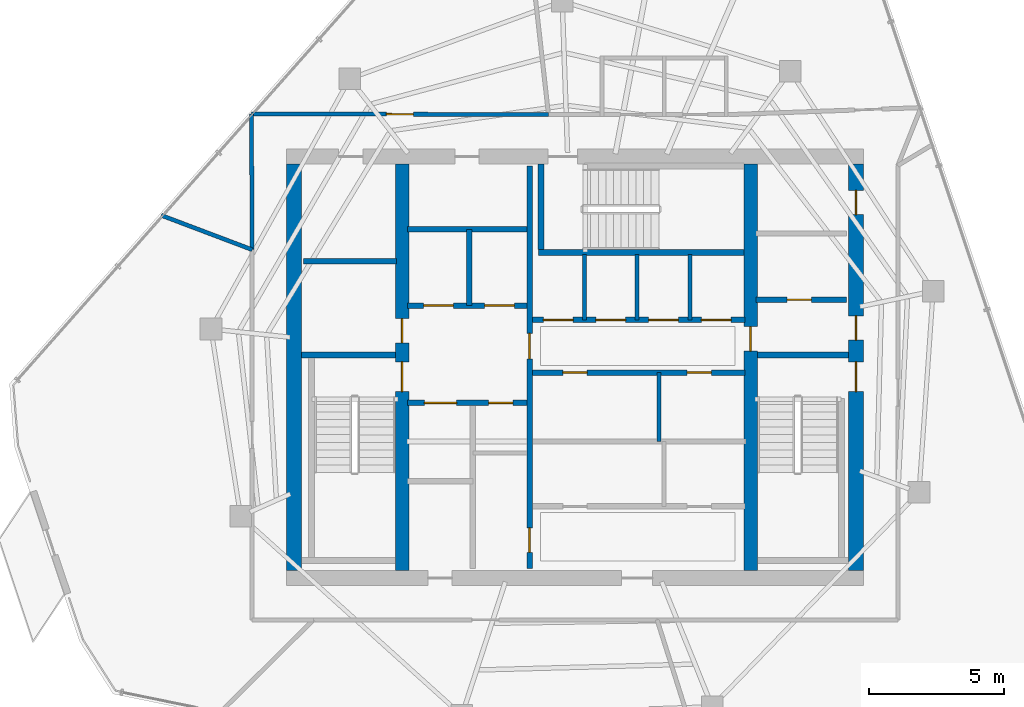
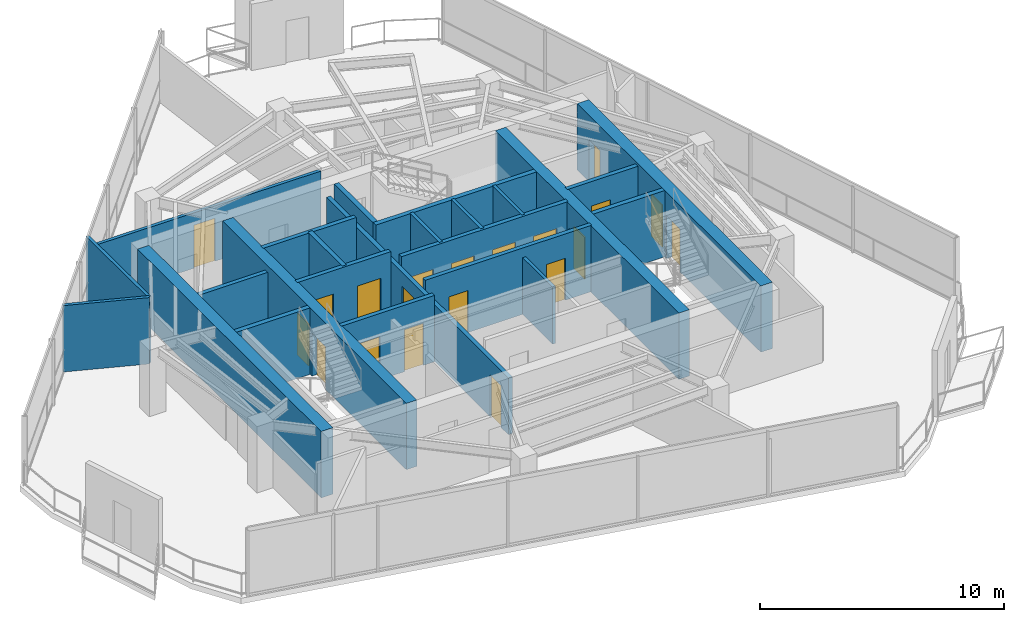
# One storey, part 15 of 18: 24 walls, 20 doors, 20 openings.
"""IFC4 building model written with IfcOpenShell, lengths in metres."""

from ifc_helpers import new_model, si_unit, direction, frame, frame_2d, origin, place, context, subcontext, project, spatial, rectangle, extrude, material, layer, layer_set, type_object, element, fill, save


model = new_model("IFC4")

# Units and contexts
model_context = context("Model", 3, precision=1e-05, world=origin(), true_north=direction((0.0, 1.0)))
body_context = subcontext(model_context, "Body", "Model", "MODEL_VIEW")
ifc_project = project(units=[si_unit("LENGTHUNIT", "METRE"), si_unit("AREAUNIT", "SQUARE_METRE"), si_unit("VOLUMEUNIT", "CUBIC_METRE"), si_unit("PLANEANGLEUNIT", "RADIAN"), si_unit("MASSUNIT", "GRAM", prefix="KILO")], contexts=[model_context])

# Site, building, storey
site_placement = place(None, origin())
site = spatial("IfcSite", under=ifc_project, at=site_placement, CompositionType="ELEMENT")
building_placement = place(site_placement, origin())
building = spatial("IfcBuilding", under=site, at=building_placement, Name="Qarnah Convention Tower", CompositionType="ELEMENT")
storey_placement = place(building_placement, frame((0.0, 0.0, 249.89990234375)))
storey = spatial("IfcBuildingStorey", under=building, at=storey_placement, Name="L67", CompositionType="ELEMENT", Elevation=249.89990234375)

# Wall
ifc_material_1 = material(Name="Concrete C60/75", Category="concrete")
ifc_layer_1 = layer(ifc_material_1, 0.550048828125)
ifc_layer_set_1 = layer_set([ifc_layer_1], Name="Concrete C60/75")
wall_type_1 = type_object("IfcWallType", Name="WL-CORE-550", PredefinedType="SHEAR", material=ifc_layer_set_1)
wall_1_placement = place(storey_placement, frame((26.800048828125, 18.875, 0.0), z_axis=(0.0, 0.0, 1.0), x_axis=(0.0, 1.0, 0.0)))
element("IfcWall", 1, at=wall_1_placement, inside=storey, type_object=wall_type_1, Name="L67 core west shear wall", PredefinedType="SHEAR", context=body_context, shape_type="SweptSolid", body=[
    extrude(rectangle(XDim=15.050048828125, YDim=0.550048828125, at=frame_2d((7.52490234375, 0.0))), origin(), (0.0, 0.0, 1.0), 3.320068359375),
])

# Wall, openings, doors
wall_2_placement = place(storey_placement, frame((47.60009765625, 18.875, 0.0), z_axis=(0.0, 0.0, 1.0), x_axis=(0.0, 1.0, 0.0)))
wall_2 = element("IfcWall", 2, at=wall_2_placement, inside=storey, type_object=wall_type_1, Name="L67 core east shear wall", PredefinedType="SHEAR", context=body_context, shape_type="SweptSolid", body=[
    extrude(rectangle(XDim=15.050048828125, YDim=0.550048828125, at=frame_2d((7.52490234375, 0.0))), origin(), (0.0, 0.0, 1.0), 3.320068359375),
])
opening_1_placement = place(wall_2_placement, frame((6.625, 0.0, 0.0)))
opening_1 = element("IfcOpeningElement", 3, at=opening_1_placement, cuts=wall_2, Name="Opening D-6702", PredefinedType="OPENING", context=body_context, shape_type="SweptSolid", body=[
    extrude(rectangle(XDim=1.10009765625, YDim=2.14990234375, at=frame_2d((0.550048828125, 1.074951171875))), frame((0.0, 0.284912109375, 0.0), z_axis=(0.0, -1.0, 0.0), x_axis=(1.0, 0.0, 0.0)), (0.0, 0.0, 1.0), 0.570068359375),
])
opening_2_placement = place(wall_2_placement, frame((8.52490234375, 0.0, 0.0)))
opening_2 = element("IfcOpeningElement", 4, at=opening_2_placement, cuts=wall_2, Name="Opening D-6706", PredefinedType="OPENING", context=body_context, shape_type="SweptSolid", body=[
    extrude(rectangle(XDim=0.89990234375, YDim=2.10009765625, at=frame_2d((0.449951171875, 1.050048828125))), frame((0.0, 0.284912109375, 0.0), z_axis=(0.0, -1.0, 0.0), x_axis=(1.0, 0.0, 0.0)), (0.0, 0.0, 1.0), 0.570068359375),
])
opening_3_placement = place(wall_2_placement, frame((13.175048828125, 0.0, 0.0)))
opening_3 = element("IfcOpeningElement", 5, at=opening_3_placement, cuts=wall_2, Name="Opening D-6712", PredefinedType="OPENING", context=body_context, shape_type="SweptSolid", body=[
    extrude(rectangle(XDim=0.89990234375, YDim=2.10009765625, at=frame_2d((0.449951171875, 1.050048828125))), frame((0.0, 0.284912109375, 0.0), z_axis=(0.0, -1.0, 0.0), x_axis=(1.0, 0.0, 0.0)), (0.0, 0.0, 1.0), 0.570068359375),
])
ifc_material_2 = material(Name="Structural steel S355JR", Category="steel")
door_type_1 = type_object("IfcDoorType", Name="DT-RISER-900", OperationType="NOTDEFINED", PredefinedType="DOOR", material=ifc_material_2)
door_1_placement = place(opening_2_placement, origin())
door_1 = element("IfcDoor", 6, at=door_1_placement, inside=storey, type_object=door_type_1, Name="Door D-6706", OperationType="SINGLE_SWING_LEFT", OverallHeight=2.10009765625, OverallWidth=0.89990234375, PredefinedType="DOOR", context=body_context, shape_type="SweptSolid", body=[
    extrude(rectangle(XDim=0.89990234375, YDim=2.10009765625, at=frame_2d((0.449951171875, 1.050048828125))), frame((0.0, 0.02490234375, 0.0), z_axis=(0.0, -1.0, 0.0), x_axis=(1.0, 0.0, 0.0)), (0.0, 0.0, 1.0), 0.050048828125),
])
fill(opening_2, door_1)
door_2_placement = place(opening_3_placement, origin())
door_2 = element("IfcDoor", 7, at=door_2_placement, inside=storey, type_object=door_type_1, Name="Door D-6712", OperationType="SINGLE_SWING_LEFT", OverallHeight=2.10009765625, OverallWidth=0.89990234375, PredefinedType="DOOR", context=body_context, shape_type="SweptSolid", body=[
    extrude(rectangle(XDim=0.89990234375, YDim=2.10009765625, at=frame_2d((0.449951171875, 1.050048828125))), frame((0.0, 0.02490234375, 0.0), z_axis=(0.0, -1.0, 0.0), x_axis=(1.0, 0.0, 0.0)), (0.0, 0.0, 1.0), 0.050048828125),
])
fill(opening_3, door_2)
door_type_2 = type_object("IfcDoorType", Name="DT-STAIR-1100", OperationType="NOTDEFINED", PredefinedType="DOOR", material=ifc_material_2)
door_3_placement = place(opening_1_placement, origin())
door_3 = element("IfcDoor", 8, at=door_3_placement, inside=storey, type_object=door_type_2, Name="Door D-6702", OperationType="SINGLE_SWING_LEFT", OverallHeight=2.14990234375, OverallWidth=1.10009765625, PredefinedType="DOOR", context=body_context, shape_type="SweptSolid", body=[
    extrude(rectangle(XDim=1.10009765625, YDim=2.14990234375, at=frame_2d((0.550048828125, 1.074951171875))), frame((0.0, 0.02490234375, 0.0), z_axis=(0.0, -1.0, 0.0), x_axis=(1.0, 0.0, 0.0)), (0.0, 0.0, 1.0), 0.050048828125),
])
fill(opening_1, door_3)

ifc_layer_2 = layer(ifc_material_1, 0.5)
ifc_layer_set_2 = layer_set([ifc_layer_2], Name="Concrete C60/75")
wall_type_2 = type_object("IfcWallType", Name="WL-CORE-INT-400", PredefinedType="SHEAR", material=ifc_layer_set_2)
wall_3_placement = place(storey_placement, frame((30.800048828125, 18.875, 0.0), z_axis=(0.0, 0.0, 1.0), x_axis=(0.0, 1.0, 0.0)))
wall_3 = element("IfcWall", 9, at=wall_3_placement, inside=storey, type_object=wall_type_2, Name="L67 core west spine shear wall", PredefinedType="SHEAR", context=body_context, shape_type="SweptSolid", body=[
    extrude(rectangle(XDim=15.050048828125, YDim=0.5, at=frame_2d((7.52490234375, 0.0))), origin(), (0.0, 0.0, 1.0), 3.320068359375),
])
opening_4_placement = place(wall_3_placement, frame((6.625, 0.0, 0.0)))
opening_4 = element("IfcOpeningElement", 10, at=opening_4_placement, cuts=wall_3, Name="Opening D-6701", PredefinedType="OPENING", context=body_context, shape_type="SweptSolid", body=[
    extrude(rectangle(XDim=1.10009765625, YDim=2.14990234375, at=frame_2d((0.550048828125, 1.074951171875))), frame((0.0, 0.260009765625, 0.0), z_axis=(0.0, -1.0, 0.0), x_axis=(1.0, 0.0, 0.0)), (0.0, 0.0, 1.0), 0.52001953125),
])
opening_5_placement = place(wall_3_placement, frame((8.425048828125, 0.0, 0.0)))
opening_5 = element("IfcOpeningElement", 11, at=opening_5_placement, cuts=wall_3, Name="Opening D-6708", PredefinedType="OPENING", context=body_context, shape_type="SweptSolid", body=[
    extrude(rectangle(XDim=0.89990234375, YDim=2.10009765625, at=frame_2d((0.449951171875, 1.050048828125))), frame((0.0, 0.260009765625, 0.0), z_axis=(0.0, -1.0, 0.0), x_axis=(1.0, 0.0, 0.0)), (0.0, 0.0, 1.0), 0.52001953125),
])
door_4_placement = place(opening_5_placement, origin())
door_4 = element("IfcDoor", 12, at=door_4_placement, inside=storey, type_object=door_type_1, Name="Door D-6708", OperationType="SINGLE_SWING_LEFT", OverallHeight=2.10009765625, OverallWidth=0.89990234375, PredefinedType="DOOR", context=body_context, shape_type="SweptSolid", body=[
    extrude(rectangle(XDim=0.89990234375, YDim=2.10009765625, at=frame_2d((0.449951171875, 1.050048828125))), frame((0.0, 0.02490234375, 0.0), z_axis=(0.0, -1.0, 0.0), x_axis=(1.0, 0.0, 0.0)), (0.0, 0.0, 1.0), 0.050048828125),
])
fill(opening_5, door_4)
door_5_placement = place(opening_4_placement, origin())
door_5 = element("IfcDoor", 13, at=door_5_placement, inside=storey, type_object=door_type_2, Name="Door D-6701", OperationType="SINGLE_SWING_RIGHT", OverallHeight=2.14990234375, OverallWidth=1.10009765625, PredefinedType="DOOR", context=body_context, shape_type="SweptSolid", body=[
    extrude(rectangle(XDim=1.10009765625, YDim=2.14990234375, at=frame_2d((0.550048828125, 1.074951171875))), frame((0.0, 0.02490234375, 0.0), z_axis=(0.0, -1.0, 0.0), x_axis=(1.0, 0.0, 0.0)), (0.0, 0.0, 1.0), 0.050048828125),
])
fill(opening_4, door_5)

# Wall, opening, door
wall_4_placement = place(storey_placement, frame((43.699951171875, 18.875, 0.0), z_axis=(0.0, 0.0, 1.0), x_axis=(0.0, 1.0, 0.0)))
wall_4 = element("IfcWall", 14, at=wall_4_placement, inside=storey, type_object=wall_type_2, Name="L67 core east spine shear wall", PredefinedType="SHEAR", context=body_context, shape_type="SweptSolid", body=[
    extrude(rectangle(XDim=15.050048828125, YDim=0.5, at=frame_2d((7.52490234375, 0.0))), origin(), (0.0, 0.0, 1.0), 3.320068359375),
])
opening_6_placement = place(wall_4_placement, frame((8.125, 0.0, 0.0)))
opening_6 = element("IfcOpeningElement", 15, at=opening_6_placement, cuts=wall_4, Name="Opening D-6705", PredefinedType="OPENING", context=body_context, shape_type="SweptSolid", body=[
    extrude(rectangle(XDim=0.89990234375, YDim=2.10009765625, at=frame_2d((0.449951171875, 1.050048828125))), frame((0.0, 0.260009765625, 0.0), z_axis=(0.0, -1.0, 0.0), x_axis=(1.0, 0.0, 0.0)), (0.0, 0.0, 1.0), 0.52001953125),
])
door_6_placement = place(opening_6_placement, origin())
door_6 = element("IfcDoor", 16, at=door_6_placement, inside=storey, type_object=door_type_1, Name="Door D-6705", OperationType="SINGLE_SWING_RIGHT", OverallHeight=2.10009765625, OverallWidth=0.89990234375, PredefinedType="DOOR", context=body_context, shape_type="SweptSolid", body=[
    extrude(rectangle(XDim=0.89990234375, YDim=2.10009765625, at=frame_2d((0.449951171875, 1.050048828125))), frame((0.0, 0.02490234375, 0.0), z_axis=(0.0, -1.0, 0.0), x_axis=(1.0, 0.0, 0.0)), (0.0, 0.0, 1.0), 0.050048828125),
])
fill(opening_6, door_6)

# Wall
ifc_material_3 = material(Name="Concrete C45/55", Category="concrete")
ifc_layer_3 = layer(ifc_material_3, 0.199951171875)
ifc_layer_set_3 = layer_set([ifc_layer_3], Name="Concrete C45/55")
wall_type_3 = type_object("IfcWallType", Name="WL-CORE-PART-200", PredefinedType="SOLIDWALL", material=ifc_layer_set_3)
wall_5_placement = place(storey_placement, frame((27.14990234375, 30.320068359375, 0.0), z_axis=(0.0, 0.0, 1.0), x_axis=(1.0, 0.0, 0.0)))
element("IfcWall", 17, at=wall_5_placement, inside=storey, type_object=wall_type_3, Name="L67 interior wall IW-L67-ELRN", PredefinedType="SOLIDWALL", context=body_context, shape_type="SweptSolid", body=[
    extrude(rectangle(XDim=3.4501953125, YDim=0.199951171875, at=frame_2d((1.72509765625, 0.0))), origin(), (0.0, 0.0, 1.0), 2.9931640625),
])

# Wall, opening, door
wall_6_placement = place(storey_placement, frame((43.89990234375, 28.89990234375, 0.0), z_axis=(0.0, 0.0, 1.0), x_axis=(1.0, 0.0, 0.0)))
wall_6 = element("IfcWall", 18, at=wall_6_placement, inside=storey, type_object=wall_type_3, Name="L67 interior wall IW-L67-EVSTN", PredefinedType="SOLIDWALL", context=body_context, shape_type="SweptSolid", body=[
    extrude(rectangle(XDim=3.35009765625, YDim=0.199951171875, at=frame_2d((1.675048828125, 0.0))), origin(), (0.0, 0.0, 1.0), 3.320068359375),
])
opening_7_placement = place(wall_6_placement, frame((1.14990234375, 0.0, 0.0)))
opening_7 = element("IfcOpeningElement", 19, at=opening_7_placement, cuts=wall_6, Name="Opening D-6711", PredefinedType="OPENING", context=body_context, shape_type="SweptSolid", body=[
    extrude(rectangle(XDim=0.89990234375, YDim=2.10009765625, at=frame_2d((0.449951171875, 1.050048828125))), frame((0.0, 0.10986328125, 0.0), z_axis=(0.0, -1.0, 0.0), x_axis=(1.0, 0.0, 0.0)), (0.0, 0.0, 1.0), 0.219970703125),
])
door_7_placement = place(opening_7_placement, origin())
door_7 = element("IfcDoor", 20, at=door_7_placement, inside=storey, type_object=door_type_1, Name="Door D-6711", OperationType="SINGLE_SWING_RIGHT", OverallHeight=2.10009765625, OverallWidth=0.89990234375, PredefinedType="DOOR", context=body_context, shape_type="SweptSolid", body=[
    extrude(rectangle(XDim=0.89990234375, YDim=2.10009765625, at=frame_2d((0.449951171875, 1.050048828125))), frame((0.0, 0.02490234375, 0.0), z_axis=(0.0, -1.0, 0.0), x_axis=(1.0, 0.0, 0.0)), (0.0, 0.0, 1.0), 0.050048828125),
])
fill(opening_7, door_7)

# Wall, openings, doors
wall_7_placement = place(storey_placement, frame((35.52001953125, 18.949951171875, 0.0), z_axis=(0.0, 0.0, 1.0), x_axis=(0.0, 1.0, 0.0)))
wall_7 = element("IfcWall", 21, at=wall_7_placement, inside=storey, type_object=wall_type_3, Name="L67 interior wall IW-L67-CSP", PredefinedType="SOLIDWALL", context=body_context, shape_type="SweptSolid", body=[
    extrude(rectangle(XDim=14.900146484375, YDim=0.199951171875, at=frame_2d((7.4501953125, 0.0))), origin(), (0.0, 0.0, 1.0), 2.841064453125),
])
opening_8_placement = place(wall_7_placement, frame((7.7548828125, 0.0, 0.0)))
opening_8 = element("IfcOpeningElement", 22, at=opening_8_placement, cuts=wall_7, Name="Opening D-6704", PredefinedType="OPENING", context=body_context, shape_type="SweptSolid", body=[
    extrude(rectangle(XDim=0.949951171875, YDim=2.14990234375, at=frame_2d((0.47509765625, 1.074951171875))), frame((0.0, 0.10986328125, 0.0), z_axis=(0.0, -1.0, 0.0), x_axis=(1.0, 0.0, 0.0)), (0.0, 0.0, 1.0), 0.219970703125),
])
opening_9_placement = place(wall_7_placement, frame((0.60009765625, 0.0, 0.0)))
opening_9 = element("IfcOpeningElement", 23, at=opening_9_placement, cuts=wall_7, Name="Opening D-6714", PredefinedType="OPENING", context=body_context, shape_type="SweptSolid", body=[
    extrude(rectangle(XDim=0.89990234375, YDim=2.10009765625, at=frame_2d((0.449951171875, 1.050048828125))), frame((0.0, 0.10986328125, 0.0), z_axis=(0.0, -1.0, 0.0), x_axis=(1.0, 0.0, 0.0)), (0.0, 0.0, 1.0), 0.219970703125),
])
ifc_material_4 = material(Name="Oak timber veneer", Category="wood")
door_type_3 = type_object("IfcDoorType", Name="DT-HOTEL-950", OperationType="NOTDEFINED", PredefinedType="DOOR", material=ifc_material_4)
door_8_placement = place(opening_8_placement, origin())
door_8 = element("IfcDoor", 24, at=door_8_placement, inside=storey, type_object=door_type_3, Name="Door D-6704", OperationType="SINGLE_SWING_LEFT", OverallHeight=2.14990234375, OverallWidth=0.949951171875, PredefinedType="DOOR", context=body_context, shape_type="SweptSolid", body=[
    extrude(rectangle(XDim=0.949951171875, YDim=2.14990234375, at=frame_2d((0.47509765625, 1.074951171875))), frame((0.0, 0.02490234375, 0.0), z_axis=(0.0, -1.0, 0.0), x_axis=(1.0, 0.0, 0.0)), (0.0, 0.0, 1.0), 0.050048828125),
])
fill(opening_8, door_8)
door_9_placement = place(opening_9_placement, origin())
door_9 = element("IfcDoor", 25, at=door_9_placement, inside=storey, type_object=door_type_1, Name="Door D-6714", OperationType="SINGLE_SWING_LEFT", OverallHeight=2.10009765625, OverallWidth=0.89990234375, PredefinedType="DOOR", context=body_context, shape_type="SweptSolid", body=[
    extrude(rectangle(XDim=0.89990234375, YDim=2.10009765625, at=frame_2d((0.449951171875, 1.050048828125))), frame((0.0, 0.02490234375, 0.0), z_axis=(0.0, -1.0, 0.0), x_axis=(1.0, 0.0, 0.0)), (0.0, 0.0, 1.0), 0.050048828125),
])
fill(opening_9, door_9)

wall_8_placement = place(storey_placement, frame((31.0, 28.679931640625, 0.0), z_axis=(0.0, 0.0, 1.0), x_axis=(1.0, 0.0, 0.0)))
wall_8 = element("IfcWall", 26, at=wall_8_placement, inside=storey, type_object=wall_type_3, Name="L67 interior wall IW-L67-FFLS", PredefinedType="SOLIDWALL", context=body_context, shape_type="SweptSolid", body=[
    extrude(rectangle(XDim=4.419921875, YDim=0.199951171875, at=frame_2d((2.2099609375, 0.0))), origin(), (0.0, 0.0, 1.0), 3.320068359375),
])
opening_10_placement = place(wall_8_placement, frame((0.60009765625, 0.0, 0.0)))
opening_10 = element("IfcOpeningElement", 27, at=opening_10_placement, cuts=wall_8, Name="Opening LD-6701", PredefinedType="OPENING", context=body_context, shape_type="SweptSolid", body=[
    extrude(rectangle(XDim=1.10009765625, YDim=2.14990234375, at=frame_2d((0.550048828125, 1.074951171875))), frame((0.0, 0.10986328125, 0.0), z_axis=(0.0, -1.0, 0.0), x_axis=(1.0, 0.0, 0.0)), (0.0, 0.0, 1.0), 0.219970703125),
])
opening_11_placement = place(wall_8_placement, frame((2.85009765625, 0.0, 0.0)))
opening_11 = element("IfcOpeningElement", 28, at=opening_11_placement, cuts=wall_8, Name="Opening LD-6702", PredefinedType="OPENING", context=body_context, shape_type="SweptSolid", body=[
    extrude(rectangle(XDim=1.10009765625, YDim=2.14990234375, at=frame_2d((0.550048828125, 1.074951171875))), frame((0.0, 0.10986328125, 0.0), z_axis=(0.0, -1.0, 0.0), x_axis=(1.0, 0.0, 0.0)), (0.0, 0.0, 1.0), 0.219970703125),
])
door_type_4 = type_object("IfcDoorType", Name="DT-LIFT-1100", OperationType="SLIDING_TO_LEFT", PredefinedType="DOOR", material=ifc_material_2)
door_10_placement = place(opening_10_placement, origin())
door_10 = element("IfcDoor", 29, at=door_10_placement, inside=storey, type_object=door_type_4, Name="Door LD-6701", OperationType="SLIDING_TO_LEFT", OverallHeight=2.14990234375, OverallWidth=1.10009765625, PredefinedType="DOOR", context=body_context, shape_type="SweptSolid", body=[
    extrude(rectangle(XDim=1.10009765625, YDim=2.14990234375, at=frame_2d((0.550048828125, 1.074951171875))), frame((0.0, 0.02490234375, 0.0), z_axis=(0.0, -1.0, 0.0), x_axis=(1.0, 0.0, 0.0)), (0.0, 0.0, 1.0), 0.050048828125),
])
fill(opening_10, door_10)
door_11_placement = place(opening_11_placement, origin())
door_11 = element("IfcDoor", 30, at=door_11_placement, inside=storey, type_object=door_type_4, Name="Door LD-6702", OperationType="SLIDING_TO_LEFT", OverallHeight=2.14990234375, OverallWidth=1.10009765625, PredefinedType="DOOR", context=body_context, shape_type="SweptSolid", body=[
    extrude(rectangle(XDim=1.10009765625, YDim=2.14990234375, at=frame_2d((0.550048828125, 1.074951171875))), frame((0.0, 0.02490234375, 0.0), z_axis=(0.0, -1.0, 0.0), x_axis=(1.0, 0.0, 0.0)), (0.0, 0.0, 1.0), 0.050048828125),
])
fill(opening_11, door_11)

# Walls
wall_9_placement = place(storey_placement, frame((31.0, 31.5, 0.0), z_axis=(0.0, 0.0, 1.0), x_axis=(1.0, 0.0, 0.0)))
element("IfcWall", 31, at=wall_9_placement, inside=storey, type_object=wall_type_3, Name="L67 interior wall IW-L67-FFLN", PredefinedType="SOLIDWALL", context=body_context, shape_type="SweptSolid", body=[
    extrude(rectangle(XDim=4.419921875, YDim=0.199951171875, at=frame_2d((2.2099609375, 0.0))), origin(), (0.0, 0.0, 1.0), 3.320068359375),
])
wall_10_placement = place(storey_placement, frame((33.280029296875, 28.679931640625, 0.0), z_axis=(0.0, 0.0, 1.0), x_axis=(0.0, 1.0, 0.0)))
element("IfcWall", 32, at=wall_10_placement, inside=storey, type_object=wall_type_3, Name="L67 interior wall IW-L67-FFLM", PredefinedType="SOLIDWALL", context=body_context, shape_type="SweptSolid", body=[
    extrude(rectangle(XDim=2.820068359375, YDim=0.199951171875, at=frame_2d((1.41015625, 0.0))), origin(), (0.0, 0.0, 1.0), 3.320068359375),
])

# Wall, openings, doors
wall_11_placement = place(storey_placement, frame((31.0, 25.080078125, 0.0), z_axis=(0.0, 0.0, 1.0), x_axis=(1.0, 0.0, 0.0)))
wall_11 = element("IfcWall", 33, at=wall_11_placement, inside=storey, type_object=wall_type_3, Name="L67 interior wall IW-L67-FFLBS", PredefinedType="SOLIDWALL", context=body_context, shape_type="SweptSolid", body=[
    extrude(rectangle(XDim=4.419921875, YDim=0.199951171875, at=frame_2d((2.2099609375, 0.0))), origin(), (0.0, 0.0, 1.0), 3.320068359375),
])
opening_12_placement = place(wall_11_placement, frame((3.0, 0.0, 0.0)))
opening_12 = element("IfcOpeningElement", 34, at=opening_12_placement, cuts=wall_11, Name="Opening D-6715", PredefinedType="OPENING", context=body_context, shape_type="SweptSolid", body=[
    extrude(rectangle(XDim=0.89990234375, YDim=2.10009765625, at=frame_2d((0.449951171875, 1.050048828125))), frame((0.0, 0.10986328125, 0.0), z_axis=(0.0, -1.0, 0.0), x_axis=(1.0, 0.0, 0.0)), (0.0, 0.0, 1.0), 0.219970703125),
])
opening_13_placement = place(wall_11_placement, frame((0.6201171875, 0.0, 0.0)))
opening_13 = element("IfcOpeningElement", 35, at=opening_13_placement, cuts=wall_11, Name="Opening LD-6703", PredefinedType="OPENING", context=body_context, shape_type="SweptSolid", body=[
    extrude(rectangle(XDim=1.199951171875, YDim=2.14990234375, at=frame_2d((0.60009765625, 1.074951171875))), frame((0.0, 0.10986328125, 0.0), z_axis=(0.0, -1.0, 0.0), x_axis=(1.0, 0.0, 0.0)), (0.0, 0.0, 1.0), 0.219970703125),
])
door_type_5 = type_object("IfcDoorType", Name="DT-LIFT-1200", OperationType="SLIDING_TO_LEFT", PredefinedType="DOOR", material=ifc_material_2)
door_12_placement = place(opening_13_placement, origin())
door_12 = element("IfcDoor", 36, at=door_12_placement, inside=storey, type_object=door_type_5, Name="Door LD-6703", OperationType="SLIDING_TO_LEFT", OverallHeight=2.14990234375, OverallWidth=1.199951171875, PredefinedType="DOOR", context=body_context, shape_type="SweptSolid", body=[
    extrude(rectangle(XDim=1.199951171875, YDim=2.14990234375, at=frame_2d((0.60009765625, 1.074951171875))), frame((0.0, 0.02490234375, 0.0), z_axis=(0.0, -1.0, 0.0), x_axis=(1.0, 0.0, 0.0)), (0.0, 0.0, 1.0), 0.050048828125),
])
fill(opening_13, door_12)
door_13_placement = place(opening_12_placement, origin())
door_13 = element("IfcDoor", 37, at=door_13_placement, inside=storey, type_object=door_type_1, Name="Door D-6715", OperationType="SINGLE_SWING_RIGHT", OverallHeight=2.10009765625, OverallWidth=0.89990234375, PredefinedType="DOOR", context=body_context, shape_type="SweptSolid", body=[
    extrude(rectangle(XDim=0.89990234375, YDim=2.10009765625, at=frame_2d((0.449951171875, 1.050048828125))), frame((0.0, 0.02490234375, 0.0), z_axis=(0.0, -1.0, 0.0), x_axis=(1.0, 0.0, 0.0)), (0.0, 0.0, 1.0), 0.050048828125),
])
fill(opening_12, door_13)

wall_12_placement = place(storey_placement, frame((35.6201171875, 28.14990234375, 0.0), z_axis=(0.0, 0.0, 1.0), x_axis=(1.0, 0.0, 0.0)))
wall_12 = element("IfcWall", 38, at=wall_12_placement, inside=storey, type_object=wall_type_3, Name="L67 interior wall IW-L67-PHS", PredefinedType="SOLIDWALL", context=body_context, shape_type="SweptSolid", body=[
    extrude(rectangle(XDim=7.8798828125, YDim=0.199951171875, at=frame_2d((3.93994140625, 0.0))), origin(), (0.0, 0.0, 1.0), 3.320068359375),
])
opening_14_placement = place(wall_12_placement, frame((0.405029296875, 0.0, 0.0)))
opening_14 = element("IfcOpeningElement", 39, at=opening_14_placement, cuts=wall_12, Name="Opening LD-6704", PredefinedType="OPENING", context=body_context, shape_type="SweptSolid", body=[
    extrude(rectangle(XDim=1.10009765625, YDim=2.14990234375, at=frame_2d((0.550048828125, 1.074951171875))), frame((0.0, 0.10986328125, 0.0), z_axis=(0.0, -1.0, 0.0), x_axis=(1.0, 0.0, 0.0)), (0.0, 0.0, 1.0), 0.219970703125),
])
opening_15_placement = place(wall_12_placement, frame((2.35498046875, 0.0, 0.0)))
opening_15 = element("IfcOpeningElement", 40, at=opening_15_placement, cuts=wall_12, Name="Opening LD-6705", PredefinedType="OPENING", context=body_context, shape_type="SweptSolid", body=[
    extrude(rectangle(XDim=1.10009765625, YDim=2.14990234375, at=frame_2d((0.550048828125, 1.074951171875))), frame((0.0, 0.10986328125, 0.0), z_axis=(0.0, -1.0, 0.0), x_axis=(1.0, 0.0, 0.0)), (0.0, 0.0, 1.0), 0.219970703125),
])
opening_16_placement = place(wall_12_placement, frame((4.304931640625, 0.0, 0.0)))
opening_16 = element("IfcOpeningElement", 41, at=opening_16_placement, cuts=wall_12, Name="Opening LD-6706", PredefinedType="OPENING", context=body_context, shape_type="SweptSolid", body=[
    extrude(rectangle(XDim=1.10009765625, YDim=2.14990234375, at=frame_2d((0.550048828125, 1.074951171875))), frame((0.0, 0.10986328125, 0.0), z_axis=(0.0, -1.0, 0.0), x_axis=(1.0, 0.0, 0.0)), (0.0, 0.0, 1.0), 0.219970703125),
])
opening_17_placement = place(wall_12_placement, frame((6.2548828125, 0.0, 0.0)))
opening_17 = element("IfcOpeningElement", 42, at=opening_17_placement, cuts=wall_12, Name="Opening LD-6707", PredefinedType="OPENING", context=body_context, shape_type="SweptSolid", body=[
    extrude(rectangle(XDim=1.10009765625, YDim=2.14990234375, at=frame_2d((0.550048828125, 1.074951171875))), frame((0.0, 0.10986328125, 0.0), z_axis=(0.0, -1.0, 0.0), x_axis=(1.0, 0.0, 0.0)), (0.0, 0.0, 1.0), 0.219970703125),
])
door_14_placement = place(opening_14_placement, origin())
door_14 = element("IfcDoor", 43, at=door_14_placement, inside=storey, type_object=door_type_4, Name="Door LD-6704", OperationType="SLIDING_TO_LEFT", OverallHeight=2.14990234375, OverallWidth=1.10009765625, PredefinedType="DOOR", context=body_context, shape_type="SweptSolid", body=[
    extrude(rectangle(XDim=1.10009765625, YDim=2.14990234375, at=frame_2d((0.550048828125, 1.074951171875))), frame((0.0, 0.02490234375, 0.0), z_axis=(0.0, -1.0, 0.0), x_axis=(1.0, 0.0, 0.0)), (0.0, 0.0, 1.0), 0.050048828125),
])
fill(opening_14, door_14)
door_15_placement = place(opening_15_placement, origin())
door_15 = element("IfcDoor", 44, at=door_15_placement, inside=storey, type_object=door_type_4, Name="Door LD-6705", OperationType="SLIDING_TO_LEFT", OverallHeight=2.14990234375, OverallWidth=1.10009765625, PredefinedType="DOOR", context=body_context, shape_type="SweptSolid", body=[
    extrude(rectangle(XDim=1.10009765625, YDim=2.14990234375, at=frame_2d((0.550048828125, 1.074951171875))), frame((0.0, 0.02490234375, 0.0), z_axis=(0.0, -1.0, 0.0), x_axis=(1.0, 0.0, 0.0)), (0.0, 0.0, 1.0), 0.050048828125),
])
fill(opening_15, door_15)
door_16_placement = place(opening_16_placement, origin())
door_16 = element("IfcDoor", 45, at=door_16_placement, inside=storey, type_object=door_type_4, Name="Door LD-6706", OperationType="SLIDING_TO_LEFT", OverallHeight=2.14990234375, OverallWidth=1.10009765625, PredefinedType="DOOR", context=body_context, shape_type="SweptSolid", body=[
    extrude(rectangle(XDim=1.10009765625, YDim=2.14990234375, at=frame_2d((0.550048828125, 1.074951171875))), frame((0.0, 0.02490234375, 0.0), z_axis=(0.0, -1.0, 0.0), x_axis=(1.0, 0.0, 0.0)), (0.0, 0.0, 1.0), 0.050048828125),
])
fill(opening_16, door_16)
door_17_placement = place(opening_17_placement, origin())
door_17 = element("IfcDoor", 46, at=door_17_placement, inside=storey, type_object=door_type_4, Name="Door LD-6707", OperationType="SLIDING_TO_LEFT", OverallHeight=2.14990234375, OverallWidth=1.10009765625, PredefinedType="DOOR", context=body_context, shape_type="SweptSolid", body=[
    extrude(rectangle(XDim=1.10009765625, YDim=2.14990234375, at=frame_2d((0.550048828125, 1.074951171875))), frame((0.0, 0.02490234375, 0.0), z_axis=(0.0, -1.0, 0.0), x_axis=(1.0, 0.0, 0.0)), (0.0, 0.0, 1.0), 0.050048828125),
])
fill(opening_17, door_17)

wall_13_placement = place(storey_placement, frame((35.6201171875, 26.199951171875, 0.0), z_axis=(0.0, 0.0, 1.0), x_axis=(1.0, 0.0, 0.0)))
wall_13 = element("IfcWall", 47, at=wall_13_placement, inside=storey, type_object=wall_type_3, Name="L67 interior wall IW-L67-PMN", PredefinedType="SOLIDWALL", context=body_context, shape_type="SweptSolid", body=[
    extrude(rectangle(XDim=7.8798828125, YDim=0.199951171875, at=frame_2d((3.93994140625, 0.0))), origin(), (0.0, 0.0, 1.0), 3.320068359375),
])
opening_18_placement = place(wall_13_placement, frame((1.1298828125, 0.0, 0.0)))
opening_18 = element("IfcOpeningElement", 48, at=opening_18_placement, cuts=wall_13, Name="Opening D-6718", PredefinedType="OPENING", context=body_context, shape_type="SweptSolid", body=[
    extrude(rectangle(XDim=0.89990234375, YDim=2.10009765625, at=frame_2d((0.449951171875, 1.050048828125))), frame((0.0, 0.10986328125, 0.0), z_axis=(0.0, -1.0, 0.0), x_axis=(1.0, 0.0, 0.0)), (0.0, 0.0, 1.0), 0.219970703125),
])
opening_19_placement = place(wall_13_placement, frame((5.72998046875, 0.0, 0.0)))
opening_19 = element("IfcOpeningElement", 49, at=opening_19_placement, cuts=wall_13, Name="Opening D-6719", PredefinedType="OPENING", context=body_context, shape_type="SweptSolid", body=[
    extrude(rectangle(XDim=0.89990234375, YDim=2.10009765625, at=frame_2d((0.449951171875, 1.050048828125))), frame((0.0, 0.10986328125, 0.0), z_axis=(0.0, -1.0, 0.0), x_axis=(1.0, 0.0, 0.0)), (0.0, 0.0, 1.0), 0.219970703125),
])
door_18_placement = place(opening_18_placement, origin())
door_18 = element("IfcDoor", 50, at=door_18_placement, inside=storey, type_object=door_type_1, Name="Door D-6718", OperationType="SINGLE_SWING_LEFT", OverallHeight=2.10009765625, OverallWidth=0.89990234375, PredefinedType="DOOR", context=body_context, shape_type="SweptSolid", body=[
    extrude(rectangle(XDim=0.89990234375, YDim=2.10009765625, at=frame_2d((0.449951171875, 1.050048828125))), frame((0.0, 0.02490234375, 0.0), z_axis=(0.0, -1.0, 0.0), x_axis=(1.0, 0.0, 0.0)), (0.0, 0.0, 1.0), 0.050048828125),
])
fill(opening_18, door_18)
door_19_placement = place(opening_19_placement, origin())
door_19 = element("IfcDoor", 51, at=door_19_placement, inside=storey, type_object=door_type_1, Name="Door D-6719", OperationType="SINGLE_SWING_RIGHT", OverallHeight=2.10009765625, OverallWidth=0.89990234375, PredefinedType="DOOR", context=body_context, shape_type="SweptSolid", body=[
    extrude(rectangle(XDim=0.89990234375, YDim=2.10009765625, at=frame_2d((0.449951171875, 1.050048828125))), frame((0.0, 0.02490234375, 0.0), z_axis=(0.0, -1.0, 0.0), x_axis=(1.0, 0.0, 0.0)), (0.0, 0.0, 1.0), 0.050048828125),
])
fill(opening_19, door_19)

# Walls
ifc_layer_4 = layer(ifc_material_1, 0.219970703125)
ifc_layer_set_4 = layer_set([ifc_layer_4], Name="Concrete C60/75")
wall_type_4 = type_object("IfcWallType", Name="WL-CORE-STAIR-220", PredefinedType="SHEAR", material=ifc_layer_set_4)
wall_14_placement = place(storey_placement, frame((27.074951171875, 26.860107421875, 0.0), z_axis=(0.0, 0.0, 1.0), x_axis=(1.0, 0.0, 0.0)))
element("IfcWall", 52, at=wall_14_placement, inside=storey, type_object=wall_type_4, Name="L67 stair shaft shear wall SW-L67-ST1N", PredefinedType="SHEAR", context=body_context, shape_type="SweptSolid", body=[
    extrude(rectangle(XDim=3.47509765625, YDim=0.219970703125, at=frame_2d((1.737548828125, 0.0))), origin(), (0.0, 0.0, 1.0), 3.320068359375),
])
wall_15_placement = place(storey_placement, frame((43.949951171875, 26.860107421875, 0.0), z_axis=(0.0, 0.0, 1.0), x_axis=(1.0, 0.0, 0.0)))
element("IfcWall", 53, at=wall_15_placement, inside=storey, type_object=wall_type_4, Name="L67 stair shaft shear wall SW-L67-ST2N", PredefinedType="SHEAR", context=body_context, shape_type="SweptSolid", body=[
    extrude(rectangle(XDim=3.375, YDim=0.219970703125, at=frame_2d((1.6875, 0.0))), origin(), (0.0, 0.0, 1.0), 3.320068359375),
])
wall_16_placement = place(storey_placement, frame((35.840087890625, 30.639892578125, 0.0), z_axis=(0.0, 0.0, 1.0), x_axis=(1.0, 0.0, 0.0)))
element("IfcWall", 54, at=wall_16_placement, inside=storey, type_object=wall_type_4, Name="L67 stair shaft shear wall SW-L67-ST3S", PredefinedType="SHEAR", context=body_context, shape_type="SweptSolid", body=[
    extrude(rectangle(XDim=7.60986328125, YDim=0.219970703125, at=frame_2d((3.804931640625, 0.0))), origin(), (0.0, 0.0, 1.0), 3.320068359375),
])
wall_17_placement = place(storey_placement, frame((35.93994140625, 30.75, 0.0), z_axis=(0.0, 0.0, 1.0), x_axis=(0.0, 1.0, 0.0)))
element("IfcWall", 55, at=wall_17_placement, inside=storey, type_object=wall_type_4, Name="L67 stair shaft shear wall SW-L67-ST3W", PredefinedType="SHEAR", context=body_context, shape_type="SweptSolid", body=[
    extrude(rectangle(XDim=3.175048828125, YDim=0.219970703125, at=frame_2d((1.58740234375, 0.0))), origin(), (0.0, 0.0, 1.0), 3.320068359375),
])
ifc_material_5 = material(Name="Gypsum partition board")
ifc_layer_5 = layer(ifc_material_5, 0.14990234375)
ifc_layer_set_5 = layer_set([ifc_layer_5], Name="Gypsum partition board")
wall_type_5 = type_object("IfcWallType", Name="WL-SUITE-150", PredefinedType="PARTITIONING", material=ifc_layer_set_5)
for number, where, z_axis, x_axis, name in (
    (56, (37.550048828125, 28.14990234375, 0.0), (0.0, 0.0, 1.0), (0.0, 1.0, 0.0), "L67 interior wall IW-L67-PHD1"),
    (57, (39.5, 28.14990234375, 0.0), (0.0, 0.0, 1.0), (0.0, 1.0, 0.0), "L67 interior wall IW-L67-PHD2"),
    (58, (41.449951171875, 28.14990234375, 0.0), (0.0, 0.0, 1.0), (0.0, 1.0, 0.0), "L67 interior wall IW-L67-PHD3"),
):
    element("IfcWall", number, at=place(storey_placement, frame(where, z_axis=z_axis, x_axis=x_axis)), inside=storey, type_object=wall_type_5, Name=name, PredefinedType="PARTITIONING", context=body_context, shape_type="SweptSolid", body=[
        extrude(rectangle(XDim=2.43017578125, YDim=0.14990234375, at=frame_2d((1.215087890625, 0.0))), origin(), (0.0, 0.0, 1.0), 3.320068359375),
    ])
wall_18_placement = place(storey_placement, frame((40.300048828125, 23.64990234375, 0.0), z_axis=(0.0, 0.0, 1.0), x_axis=(0.0, 1.0, 0.0)))
element("IfcWall", 59, at=wall_18_placement, inside=storey, type_object=wall_type_5, Name="L67 interior wall IW-L67-PMFD", PredefinedType="PARTITIONING", context=body_context, shape_type="SweptSolid", body=[
    extrude(rectangle(XDim=2.550048828125, YDim=0.14990234375, at=frame_2d((1.27490234375, 0.0))), origin(), (0.0, 0.0, 1.0), 2.841064453125),
])
wall_19_placement = place(storey_placement, frame((21.885009765625, 32.02099609375, 0.0), z_axis=(0.0, 0.0, 1.0), x_axis=(0.935402772164, -0.353584012405, 0.0)))
element("IfcWall", 60, at=wall_19_placement, inside=storey, type_object=wall_type_5, Name="L67 interior wall IW-L67-R-13", PredefinedType="PARTITIONING", context=body_context, shape_type="SweptSolid", body=[
    extrude(rectangle(XDim=3.597412109375, YDim=0.14990234375, at=frame_2d((1.798828125, 0.0))), origin(), (0.0, 0.0, 1.0), 3.320068359375),
])
wall_20_placement = place(storey_placement, frame((25.25, 30.7490234375, 0.0), z_axis=(0.0, 0.0, 1.0), x_axis=(-0.005579458056, 0.999984434703, 0.0)))
element("IfcWall", 61, at=wall_20_placement, inside=storey, type_object=wall_type_5, Name="L67 interior wall IW-L67-R-14", PredefinedType="PARTITIONING", context=body_context, shape_type="SweptSolid", body=[
    extrude(rectangle(XDim=5.031982421875, YDim=0.14990234375, at=frame_2d((2.51611328125, 0.0))), origin(), (0.0, 0.0, 1.0), 3.320068359375),
])

# Wall, opening, door
wall_21_placement = place(storey_placement, frame((25.221923828125, 35.781005859375, 0.0), z_axis=(0.0, 0.0, 1.0), x_axis=(0.999996023919, -0.002819955037, 0.0)))
wall_21 = element("IfcWall", 62, at=wall_21_placement, inside=storey, type_object=wall_type_5, Name="L67 interior wall IW-L67-R-15", PredefinedType="PARTITIONING", context=body_context, shape_type="SweptSolid", body=[
    extrude(rectangle(XDim=10.9951171875, YDim=0.14990234375, at=frame_2d((5.49755859375, 0.0))), origin(), (0.0, 0.0, 1.0), 2.76904296875),
])
opening_20_placement = place(wall_21_placement, frame((4.998046875, 0.0, 0.0)))
opening_20 = element("IfcOpeningElement", 63, at=opening_20_placement, cuts=wall_21, Name="Opening D-6723", PredefinedType="OPENING", context=body_context, shape_type="SweptSolid", body=[
    extrude(rectangle(XDim=1.0, YDim=2.14990234375, at=frame_2d((0.5, 1.074951171875))), frame((0.0, 0.0849609375, 0.0), z_axis=(0.0, -1.0, 0.0), x_axis=(1.0, 0.0, 0.0)), (0.0, 0.0, 1.0), 0.169921875),
])
door_type_6 = type_object("IfcDoorType", Name="DT-OFFICE-1000", OperationType="NOTDEFINED", PredefinedType="DOOR", material=ifc_material_4)
door_20_placement = place(opening_20_placement, origin())
door_20 = element("IfcDoor", 64, at=door_20_placement, inside=storey, type_object=door_type_6, Name="Door D-6723", OperationType="SINGLE_SWING_RIGHT", OverallHeight=2.14990234375, OverallWidth=1.0, PredefinedType="DOOR", context=body_context, shape_type="SweptSolid", body=[
    extrude(rectangle(XDim=1.0, YDim=2.14990234375, at=frame_2d((0.5, 1.074951171875))), frame((0.0, 0.02490234375, 0.0), z_axis=(0.0, -1.0, 0.0), x_axis=(1.0, 0.0, 0.0)), (0.0, 0.0, 1.0), 0.050048828125),
])
fill(opening_20, door_20)

save(model, "model.ifc")
